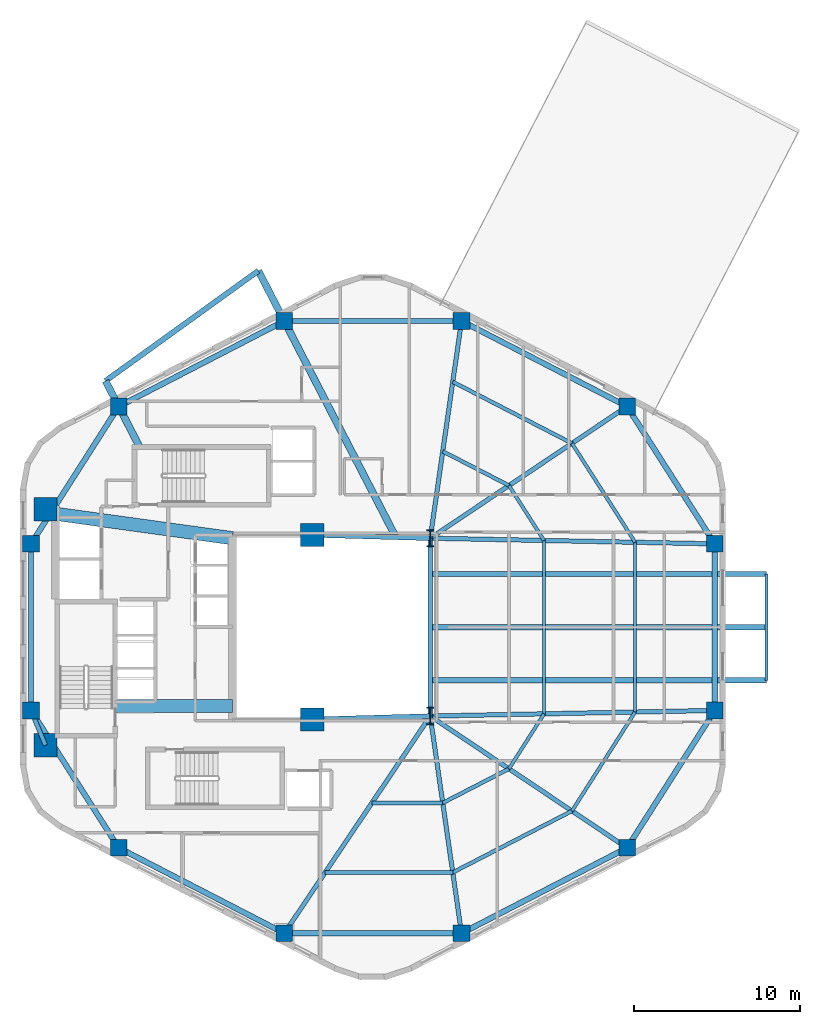
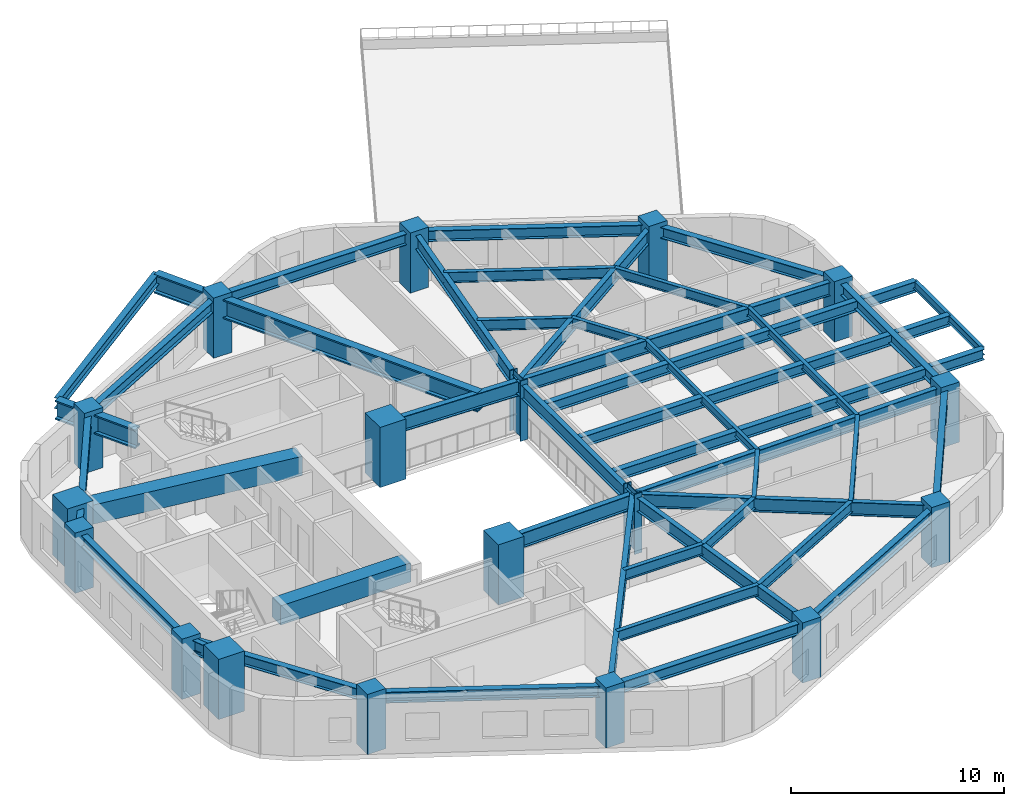
# One storey, part 1 of 8: 44 beams, 18 columns.
"""IFC4 building model written with IfcOpenShell, lengths in metres."""

from ifc_helpers import new_model, si_unit, direction, frame, origin, origin_2d, place, context, subcontext, project, spatial, rectangle, i_section, extrude, material, material_profile, profile_set, type_object, element, save


model = new_model("IFC4")

# Units and contexts
model_context = context("Model", 3, precision=1e-05, world=origin(), true_north=direction((0.0, 1.0)))
body_context = subcontext(model_context, "Body", "Model", "MODEL_VIEW")
ifc_project = project(units=[si_unit("LENGTHUNIT", "METRE"), si_unit("AREAUNIT", "SQUARE_METRE"), si_unit("VOLUMEUNIT", "CUBIC_METRE"), si_unit("PLANEANGLEUNIT", "RADIAN"), si_unit("MASSUNIT", "GRAM", prefix="KILO"), si_unit("THERMODYNAMICTEMPERATUREUNIT", "KELVIN"), si_unit("POWERUNIT", "WATT")], contexts=[model_context])

# Site, building, storey
site_placement = place(None, origin())
site = spatial("IfcSite", under=ifc_project, at=site_placement, CompositionType="ELEMENT")
building_placement = place(site_placement, origin())
building = spatial("IfcBuilding", under=site, at=building_placement, Name="Skarre Station Tower", CompositionType="ELEMENT")
storey_placement = place(building_placement, frame((0.0, 0.0, 122.25)))
storey = spatial("IfcBuildingStorey", under=building, at=storey_placement, Name="L32", CompositionType="ELEMENT", Elevation=122.25)

# Columns
ifc_material_1 = material(Name="Concrete C60/75", Category="concrete")
ifc_material_profile_1 = material_profile(ifc_material_1, rectangle(XDim=1.0, YDim=1.0, at=origin_2d()), Name="Concrete C60/75")
ifc_profile_set_1 = profile_set([ifc_material_profile_1], Name="Concrete C60/75")
column_type_1 = type_object("IfcColumnType", Name="RC Structural Column RC-COL-1000X1000", PredefinedType="COLUMN", material=ifc_profile_set_1)
for number, where, z_axis, x_axis, name in (
    (1, (51.291015625, 37.277099609375, 0.0), (0.0, 0.0, 1.0), (1.0, 0.0, 0.0), "L32 Zone 2 Perimeter Column F0C1"),
    (2, (41.3310546875, 42.41796875, 0.0), (0.0, 0.0, 1.0), (1.0, 0.0, 0.0), "L32 Zone 2 Perimeter Column F0C2"),
    (3, (30.6689453125, 42.41796875, 0.0), (0.0, 0.0, 1.0), (1.0, 0.0, 0.0), "L32 Zone 2 Perimeter Column F1C1"),
    (4, (20.708984375, 37.277099609375, 0.0), (0.0, 0.0, 1.0), (1.0, 0.0, 0.0), "L32 Zone 2 Perimeter Column F1C2"),
    (5, (15.431884765625, 29.010986328125, 0.0), (0.0, 0.0, 1.0), (1.0, 0.0, 0.0), "L32 Zone 2 Perimeter Column F2C1"),
    (6, (15.431884765625, 18.989013671875, 0.0), (0.0, 0.0, 1.0), (1.0, 0.0, 0.0), "L32 Zone 2 Perimeter Column F2C2"),
    (7, (20.708984375, 10.722900390625, 0.0), (0.0, 0.0, 1.0), (1.0, 0.0, 0.0), "L32 Zone 2 Perimeter Column F3C1"),
    (8, (30.6689453125, 5.58203125, 0.0), (0.0, 0.0, 1.0), (1.0, 0.0, 0.0), "L32 Zone 2 Perimeter Column F3C2"),
    (9, (41.3310546875, 5.58203125, 0.0), (0.0, 0.0, 1.0), (1.0, 0.0, 0.0), "L32 Zone 2 Perimeter Column F4C1"),
    (10, (51.291015625, 10.722900390625, 0.0), (0.0, 0.0, 1.0), (1.0, 0.0, 0.0), "L32 Zone 2 Perimeter Column F4C2"),
    (11, (56.568115234375, 18.989013671875, 0.0), (0.0, 0.0, 1.0), (1.0, 0.0, 0.0), "L32 Zone 2 Perimeter Column F5C1"),
    (12, (56.568115234375, 29.010986328125, 0.0), (0.0, 0.0, 1.0), (1.0, 0.0, 0.0), "L32 Zone 2 Perimeter Column F5C2"),
):
    element("IfcColumn", number, at=place(storey_placement, frame(where, z_axis=z_axis, x_axis=x_axis)), inside=storey, type_object=column_type_1, Name=name, PredefinedType="COLUMN", context=body_context, shape_type="SweptSolid", body=[
        extrude(rectangle(XDim=1.0, YDim=1.0, at=origin_2d()), origin(), (0.0, 0.0, 1.0), 3.449951171875),
    ])
ifc_material_2 = material(Name="Concrete C70/85", Category="concrete")
ifc_material_profile_2 = material_profile(ifc_material_2, rectangle(XDim=1.39990234375, YDim=1.39990234375, at=origin_2d()), Name="Concrete C70/85")
ifc_profile_set_2 = profile_set([ifc_material_profile_2], Name="Concrete C70/85")
column_type_2 = type_object("IfcColumnType", Name="RC Structural Column RC-COL-1400X1400", PredefinedType="COLUMN", material=ifc_profile_set_2)
for number, where, z_axis, x_axis, name in (
    (13, (16.300048828125, 16.89990234375, 0.0), (0.0, 0.0, 1.0), (1.0, 0.0, 0.0), "L32 Core Column CC-SW"),
    (14, (16.300048828125, 31.10009765625, 0.0), (0.0, 0.0, 1.0), (1.0, 0.0, 0.0), "L32 Core Column CC-NW"),
    (15, (32.35009765625, 18.449951171875, 0.0), (0.0, 0.0, 1.0), (1.0, 0.0, 0.0), "L32 Core Column CC-SE"),
    (16, (32.35009765625, 29.550048828125, 0.0), (0.0, 0.0, 1.0), (1.0, 0.0, 0.0), "L32 Core Column CC-NE"),
):
    element("IfcColumn", number, at=place(storey_placement, frame(where, z_axis=z_axis, x_axis=x_axis)), inside=storey, type_object=column_type_2, Name=name, PredefinedType="COLUMN", context=body_context, shape_type="SweptSolid", body=[
        extrude(rectangle(XDim=1.39990234375, YDim=1.39990234375, at=origin_2d()), origin(), (0.0, 0.0, 1.0), 3.449951171875),
    ])
ifc_material_3 = material(Name="Steel ASTM A913 Grade 65", Category="steel")
ifc_material_profile_3 = material_profile(ifc_material_3, i_section(OverallWidth=0.409912109375, OverallDepth=1.041015625, WebThickness=0.031005859375, FlangeThickness=0.055908203125, at=origin_2d()), Name="Steel ASTM A913 Grade 65")
ifc_profile_set_3 = profile_set([ifc_material_profile_3], Name="Steel ASTM A913 Grade 65")
column_type_3 = type_object("IfcColumnType", Name="Steel Column W40X397", PredefinedType="COLUMN", material=ifc_profile_set_3)
for number, where, z_axis, x_axis, name in (
    (17, (39.449951171875, 18.64990234375, 0.0), (0.0, 0.0, 1.0), (1.0, 0.0, 0.0), "L32 Atrium Spine Column AC-SE"),
    (18, (39.449951171875, 29.35009765625, 0.0), (0.0, 0.0, 1.0), (1.0, 0.0, 0.0), "L32 Atrium Spine Column AC-NE"),
):
    element("IfcColumn", number, at=place(storey_placement, frame(where, z_axis=z_axis, x_axis=x_axis)), inside=storey, type_object=column_type_3, Name=name, PredefinedType="COLUMN", context=body_context, shape_type="SweptSolid", body=[
        extrude(i_section(OverallWidth=0.409912109375, OverallDepth=1.041015625, WebThickness=0.031005859375, FlangeThickness=0.055908203125, at=origin_2d()), origin(), (0.0, 0.0, 1.0), 3.449951171875),
    ])

# Beams
ifc_material_profile_4 = material_profile(ifc_material_2, rectangle(XDim=0.800048828125, YDim=1.10009765625, at=origin_2d()), Name="Concrete C70/85")
ifc_profile_set_4 = profile_set([ifc_material_profile_4], Name="Concrete C70/85")
beam_type_1 = type_object("IfcBeamType", Name="RC Core Coupling Lintel 800x1100", PredefinedType="LINTEL", material=ifc_profile_set_4)
beam_1_placement = place(storey_placement, frame((20.489990234375, 19.260009765625, 2.639892578125), z_axis=(1.0, 0.0, 0.0), x_axis=(0.0, 1.0, 0.0)))
element("IfcBeam", 19, at=beam_1_placement, inside=storey, type_object=beam_type_1, Name="L32 South Core Coupling Lintel", PredefinedType="LINTEL", context=body_context, shape_type="SweptSolid", body=[
    extrude(rectangle(XDim=0.800048828125, YDim=1.10009765625, at=origin_2d()), origin(), (0.0, 0.0, 1.0), 7.06005859375),
])
beam_2_placement = place(storey_placement, frame((17.050048828125, 30.800048828125, 2.639892578125), z_axis=(0.990599723633, -0.136792498109, 0.0), x_axis=(0.136792498109, 0.990599723633, 0.0)))
element("IfcBeam", 20, at=beam_2_placement, inside=storey, type_object=beam_type_1, Name="L32 North Core Coupling Lintel", PredefinedType="LINTEL", context=body_context, shape_type="SweptSolid", body=[
    extrude(rectangle(XDim=0.800048828125, YDim=1.10009765625, at=origin_2d()), origin(), (0.0, 0.0, 1.0), 10.599609375),
])
ifc_material_4 = material(Name="Steel ASTM A992 Grade 50", Category="steel")
ifc_material_profile_5 = material_profile(ifc_material_4, i_section(OverallWidth=0.323974609375, OverallDepth=0.611083984375, WebThickness=0.012939453125, FlangeThickness=0.01904296875, at=origin_2d()), Name="Steel ASTM A992 Grade 50")
ifc_profile_set_5 = profile_set([ifc_material_profile_5], Name="Steel ASTM A992 Grade 50")
beam_type_2 = type_object("IfcBeamType", Name="Steel Beam W24X104", PredefinedType="BEAM", material=ifc_profile_set_5)
for number, where, z_axis, x_axis, name in (
    (21, (39.449951171875, 24.0, 2.800048828125), (1.0, 0.0, 0.0), (0.0, 1.0, 0.0), "L32 TB-L33-F5 Center Outrigger Beam"),
    (22, (39.449951171875, 20.800048828125, 2.800048828125), (1.0, 0.0, 0.0), (0.0, 1.0, 0.0), "L32 TB-L33-F5 Outrigger Beam 1"),
    (23, (39.449951171875, 27.199951171875, 2.800048828125), (1.0, 0.0, 0.0), (0.0, 1.0, 0.0), "L32 TB-L33-F5 Outrigger Beam 2"),
):
    element("IfcBeam", number, at=place(storey_placement, frame(where, z_axis=z_axis, x_axis=x_axis)), inside=storey, type_object=beam_type_2, Name=name, PredefinedType="BEAM", context=body_context, shape_type="SweptSolid", body=[
        extrude(i_section(OverallWidth=0.323974609375, OverallDepth=0.611083984375, WebThickness=0.012939453125, FlangeThickness=0.01904296875, at=origin_2d()), origin(), (0.0, 0.0, 1.0), 20.22802734375),
    ])
ifc_material_profile_6 = material_profile(ifc_material_4, i_section(OverallWidth=0.26806640625, OverallDepth=0.77001953125, WebThickness=0.01611328125, FlangeThickness=0.02490234375, at=origin_2d()), Name="Steel ASTM A992 Grade 50")
ifc_profile_set_6 = profile_set([ifc_material_profile_6], Name="Steel ASTM A992 Grade 50")
beam_type_3 = type_object("IfcBeamType", Name="Steel Beam W30X132", PredefinedType="BEAM", material=ifc_profile_set_6)
beam_3_placement = place(storey_placement, frame((39.449951171875, 18.64990234375, 2.804931640625), z_axis=(0.0, 1.0, 0.0), x_axis=(-1.0, 0.0, 0.0)))
element("IfcBeam", 24, at=beam_3_placement, inside=storey, type_object=beam_type_3, Name="L32 Atrium East Edge Girder", PredefinedType="BEAM", context=body_context, shape_type="SweptSolid", body=[
    extrude(i_section(OverallWidth=0.26806640625, OverallDepth=0.77001953125, WebThickness=0.01611328125, FlangeThickness=0.02490234375, at=origin_2d()), origin(), (0.0, 0.0, 1.0), 10.7001953125),
])
beam_4_placement = place(storey_placement, frame((39.449951171875, 29.35009765625, 2.804931640625), z_axis=(0.830981218317, 0.556300471692, 0.0), x_axis=(-0.556300471692, 0.830981218317, 0.0)))
element("IfcBeam", 25, at=beam_4_placement, inside=storey, type_object=beam_type_3, Name="L32 Radial Floor Girder F0C1", PredefinedType="BEAM", context=body_context, shape_type="SweptSolid", body=[
    extrude(i_section(OverallWidth=0.26806640625, OverallDepth=0.77001953125, WebThickness=0.01611328125, FlangeThickness=0.02490234375, at=origin_2d()), origin(), (0.0, 0.0, 1.0), 14.24951171875),
])
beam_5_placement = place(storey_placement, frame((39.449951171875, 29.35009765625, 2.804931640625), z_axis=(0.142480121776, 0.989797663616, 0.0), x_axis=(-0.989797663616, 0.142480121776, 0.0)))
element("IfcBeam", 26, at=beam_5_placement, inside=storey, type_object=beam_type_3, Name="L32 Radial Floor Girder F0C2", PredefinedType="BEAM", context=body_context, shape_type="SweptSolid", body=[
    extrude(i_section(OverallWidth=0.26806640625, OverallDepth=0.77001953125, WebThickness=0.01611328125, FlangeThickness=0.02490234375, at=origin_2d()), origin(), (0.0, 0.0, 1.0), 13.20263671875),
])
beam_6_placement = place(storey_placement, frame((16.300048828125, 16.89990234375, 2.804931640625), z_axis=(-0.383749333092, 0.923437301256, 0.0), x_axis=(-0.923437301256, -0.383749333092, 0.0)))
element("IfcBeam", 27, at=beam_6_placement, inside=storey, type_object=beam_type_3, Name="L32 Radial Floor Girder F2C2", PredefinedType="BEAM", context=body_context, shape_type="SweptSolid", body=[
    extrude(i_section(OverallWidth=0.26806640625, OverallDepth=0.77001953125, WebThickness=0.01611328125, FlangeThickness=0.02490234375, at=origin_2d()), origin(), (0.0, 0.0, 1.0), 2.26220703125),
])
beam_7_placement = place(storey_placement, frame((39.449951171875, 18.64990234375, 2.804931640625), z_axis=(-0.55773464691, -0.830019315219, 0.0), x_axis=(0.830019315219, -0.55773464691, 0.0)))
element("IfcBeam", 28, at=beam_7_placement, inside=storey, type_object=beam_type_3, Name="L32 Radial Floor Girder F3C2", PredefinedType="BEAM", context=body_context, shape_type="SweptSolid", body=[
    extrude(i_section(OverallWidth=0.26806640625, OverallDepth=0.77001953125, WebThickness=0.01611328125, FlangeThickness=0.02490234375, at=origin_2d()), origin(), (0.0, 0.0, 1.0), 15.744140625),
])
beam_8_placement = place(storey_placement, frame((39.449951171875, 18.64990234375, 2.804931640625), z_axis=(0.142480121776, -0.989797663616, 0.0), x_axis=(0.989797663616, 0.142480121776, 0.0)))
element("IfcBeam", 29, at=beam_8_placement, inside=storey, type_object=beam_type_3, Name="L32 Radial Floor Girder F4C1", PredefinedType="BEAM", context=body_context, shape_type="SweptSolid", body=[
    extrude(i_section(OverallWidth=0.26806640625, OverallDepth=0.77001953125, WebThickness=0.01611328125, FlangeThickness=0.02490234375, at=origin_2d()), origin(), (0.0, 0.0, 1.0), 13.20263671875),
])
beam_9_placement = place(storey_placement, frame((39.449951171875, 18.64990234375, 2.804931640625), z_axis=(0.830981218317, -0.556300471692, 0.0), x_axis=(0.556300471692, 0.830981218317, 0.0)))
element("IfcBeam", 30, at=beam_9_placement, inside=storey, type_object=beam_type_3, Name="L32 Radial Floor Girder F4C2", PredefinedType="BEAM", context=body_context, shape_type="SweptSolid", body=[
    extrude(i_section(OverallWidth=0.26806640625, OverallDepth=0.77001953125, WebThickness=0.01611328125, FlangeThickness=0.02490234375, at=origin_2d()), origin(), (0.0, 0.0, 1.0), 14.24951171875),
])
for number, where, z_axis, x_axis, name in (
    (31, (39.449951171875, 18.64990234375, 2.804931640625), (0.999803839107, 0.019806143142, 0.0), (-0.019806143142, 0.999803839107, 0.0), "L32 Radial Floor Girder F5C1"),
    (32, (39.449951171875, 29.35009765625, 2.804931640625), (0.999803839107, -0.019806143142, 0.0), (0.019806143142, 0.999803839107, 0.0), "L32 Radial Floor Girder F5C2"),
):
    element("IfcBeam", number, at=place(storey_placement, frame(where, z_axis=z_axis, x_axis=x_axis)), inside=storey, type_object=beam_type_3, Name=name, PredefinedType="BEAM", context=body_context, shape_type="SweptSolid", body=[
        extrude(i_section(OverallWidth=0.26806640625, OverallDepth=0.77001953125, WebThickness=0.01611328125, FlangeThickness=0.02490234375, at=origin_2d()), origin(), (0.0, 0.0, 1.0), 17.12158203125),
    ])
ifc_material_profile_7 = material_profile(ifc_material_4, i_section(OverallWidth=0.2919921875, OverallDepth=0.85888671875, WebThickness=0.01708984375, FlangeThickness=0.031005859375, at=origin_2d()), Name="Steel ASTM A992 Grade 50")
ifc_profile_set_7 = profile_set([ifc_material_profile_7], Name="Steel ASTM A992 Grade 50")
beam_type_4 = type_object("IfcBeamType", Name="Steel Beam W33X169", PredefinedType="BEAM", material=ifc_profile_set_7)
for number, where, z_axis, x_axis, name in (
    (33, (32.35009765625, 18.449951171875, 2.760009765625), (0.999603666405, 0.028151556095, 0.0), (-0.028151556095, 0.999603666405, 0.0), "L32 Atrium South Edge Girder"),
    (34, (32.35009765625, 29.550048828125, 2.760009765625), (0.999603666405, -0.028151556095, 0.0), (0.028151556095, 0.999603666405, 0.0), "L32 Atrium North Edge Girder"),
):
    element("IfcBeam", number, at=place(storey_placement, frame(where, z_axis=z_axis, x_axis=x_axis)), inside=storey, type_object=beam_type_4, Name=name, PredefinedType="BEAM", context=body_context, shape_type="SweptSolid", body=[
        extrude(i_section(OverallWidth=0.2919921875, OverallDepth=0.85888671875, WebThickness=0.01708984375, FlangeThickness=0.031005859375, at=origin_2d()), origin(), (0.0, 0.0, 1.0), 7.102783203125),
    ])
ifc_material_profile_8 = material_profile(ifc_material_4, i_section(OverallWidth=0.19091796875, OverallDepth=0.45703125, WebThickness=0.009033203125, FlangeThickness=0.013916015625, at=origin_2d()), Name="Steel ASTM A992 Grade 50")
ifc_profile_set_8 = profile_set([ifc_material_profile_8], Name="Steel ASTM A992 Grade 50")
beam_type_5 = type_object("IfcBeamType", Name="Steel Joist W18X50", PredefinedType="JOIST", material=ifc_profile_set_8)
beam_10_placement = place(storey_placement, frame((46.297119140625, 18.785888671875, 2.9619140625), z_axis=(0.0, 1.0, 0.0), x_axis=(-1.0, 0.0, 0.0)))
element("IfcBeam", 35, at=beam_10_placement, inside=storey, type_object=beam_type_5, Name="L32 Auxiliary Composite Joist 9", PredefinedType="JOIST", context=body_context, shape_type="SweptSolid", body=[
    extrude(i_section(OverallWidth=0.19091796875, OverallDepth=0.45703125, WebThickness=0.009033203125, FlangeThickness=0.013916015625, at=origin_2d()), origin(), (0.0, 0.0, 1.0), 10.42822265625),
])
beam_11_placement = place(storey_placement, frame((51.77490234375, 18.89404296875, 2.9619140625), z_axis=(0.0, 1.0, 0.0), x_axis=(-1.0, 0.0, 0.0)))
element("IfcBeam", 36, at=beam_11_placement, inside=storey, type_object=beam_type_5, Name="L32 Auxiliary Composite Joist 10", PredefinedType="JOIST", context=body_context, shape_type="SweptSolid", body=[
    extrude(i_section(OverallWidth=0.19091796875, OverallDepth=0.45703125, WebThickness=0.009033203125, FlangeThickness=0.013916015625, at=origin_2d()), origin(), (0.0, 0.0, 1.0), 10.2119140625),
])
beam_12_placement = place(storey_placement, frame((59.677978515625, 20.800048828125, 2.876953125), z_axis=(0.0, 1.0, 0.0), x_axis=(-1.0, 0.0, 0.0)))
element("IfcBeam", 37, at=beam_12_placement, inside=storey, type_object=beam_type_5, Name="L32 TB-L33-F5 Rim Beam", PredefinedType="JOIST", context=body_context, shape_type="SweptSolid", body=[
    extrude(i_section(OverallWidth=0.19091796875, OverallDepth=0.45703125, WebThickness=0.009033203125, FlangeThickness=0.013916015625, at=origin_2d()), origin(), (0.0, 0.0, 1.0), 6.39990234375),
])
ifc_material_profile_9 = material_profile(ifc_material_4, i_section(OverallWidth=0.208984375, OverallDepth=0.532958984375, WebThickness=0.010009765625, FlangeThickness=0.01611328125, at=origin_2d()), Name="Steel ASTM A992 Grade 50")
ifc_profile_set_9 = profile_set([ifc_material_profile_9], Name="Steel ASTM A992 Grade 50")
beam_type_6 = type_object("IfcBeamType", Name="Steel Joist W21X62", PredefinedType="JOIST", material=ifc_profile_set_9)
beam_13_placement = place(storey_placement, frame((44.18603515625, 15.47900390625, 2.924072265625), z_axis=(0.538090955129, 0.842886780065, 0.0), x_axis=(-0.842886780065, 0.538090955129, 0.0)))
element("IfcBeam", 38, at=beam_13_placement, inside=storey, type_object=beam_type_6, Name="L32 Auxiliary Composite Joist 7", PredefinedType="JOIST", context=body_context, shape_type="SweptSolid", body=[
    extrude(i_section(OverallWidth=0.208984375, OverallDepth=0.532958984375, WebThickness=0.010009765625, FlangeThickness=0.01611328125, at=origin_2d()), origin(), (0.0, 0.0, 1.0), 3.92333984375),
])
beam_14_placement = place(storey_placement, frame((47.97607421875, 12.943115234375, 2.924072265625), z_axis=(0.538072046089, 0.842898851119, 0.0), x_axis=(-0.842898851119, 0.538072046089, 0.0)))
element("IfcBeam", 39, at=beam_14_placement, inside=storey, type_object=beam_type_6, Name="L32 Auxiliary Composite Joist 8", PredefinedType="JOIST", context=body_context, shape_type="SweptSolid", body=[
    extrude(i_section(OverallWidth=0.208984375, OverallDepth=0.532958984375, WebThickness=0.010009765625, FlangeThickness=0.01611328125, at=origin_2d()), origin(), (0.0, 0.0, 1.0), 7.06005859375),
])
beam_15_placement = place(storey_placement, frame((46.297119140625, 29.214111328125, 2.924072265625), z_axis=(-0.538090955129, 0.842886780065, 0.0), x_axis=(-0.842886780065, -0.538090955129, 0.0)))
element("IfcBeam", 40, at=beam_15_placement, inside=storey, type_object=beam_type_6, Name="L32 Auxiliary Composite Joist 11", PredefinedType="JOIST", context=body_context, shape_type="SweptSolid", body=[
    extrude(i_section(OverallWidth=0.208984375, OverallDepth=0.532958984375, WebThickness=0.010009765625, FlangeThickness=0.01611328125, at=origin_2d()), origin(), (0.0, 0.0, 1.0), 3.92333984375),
])
beam_16_placement = place(storey_placement, frame((51.77490234375, 29.10595703125, 2.924072265625), z_axis=(-0.538072046089, 0.842898851119, 0.0), x_axis=(-0.842898851119, -0.538072046089, 0.0)))
element("IfcBeam", 41, at=beam_16_placement, inside=storey, type_object=beam_type_6, Name="L32 Auxiliary Composite Joist 12", PredefinedType="JOIST", context=body_context, shape_type="SweptSolid", body=[
    extrude(i_section(OverallWidth=0.208984375, OverallDepth=0.532958984375, WebThickness=0.010009765625, FlangeThickness=0.01611328125, at=origin_2d()), origin(), (0.0, 0.0, 1.0), 7.06005859375),
])
ifc_material_profile_10 = material_profile(ifc_material_4, i_section(OverallWidth=0.22802734375, OverallDepth=0.60791015625, WebThickness=0.010986328125, FlangeThickness=0.01708984375, at=origin_2d()), Name="Steel ASTM A992 Grade 50")
ifc_profile_set_10 = profile_set([ifc_material_profile_10], Name="Steel ASTM A992 Grade 50")
beam_type_7 = type_object("IfcBeamType", Name="Steel Joist W24X76", PredefinedType="JOIST", material=ifc_profile_set_10)
beam_17_placement = place(storey_placement, frame((44.18603515625, 32.52099609375, 2.885986328125), z_axis=(-0.888658598325, 0.458569401097, 0.0), x_axis=(-0.458569401097, -0.888658598325, 0.0)))
element("IfcBeam", 42, at=beam_17_placement, inside=storey, type_object=beam_type_7, Name="L32 Secondary Floor Joist 1", PredefinedType="JOIST", context=body_context, shape_type="SweptSolid", body=[
    extrude(i_section(OverallWidth=0.22802734375, OverallDepth=0.60791015625, WebThickness=0.010986328125, FlangeThickness=0.01708984375, at=origin_2d()), origin(), (0.0, 0.0, 1.0), 4.4833984375),
])
beam_18_placement = place(storey_placement, frame((47.97607421875, 35.056884765625, 2.885986328125), z_axis=(-0.888599977053, 0.458682985057, 0.0), x_axis=(-0.458682985057, -0.888599977053, 0.0)))
element("IfcBeam", 43, at=beam_18_placement, inside=storey, type_object=beam_type_7, Name="L32 Secondary Floor Joist 2", PredefinedType="JOIST", context=body_context, shape_type="SweptSolid", body=[
    extrude(i_section(OverallWidth=0.22802734375, OverallDepth=0.60791015625, WebThickness=0.010986328125, FlangeThickness=0.01708984375, at=origin_2d()), origin(), (0.0, 0.0, 1.0), 8.0712890625),
])
beam_19_placement = place(storey_placement, frame((35.93798828125, 13.423095703125, 2.885986328125), z_axis=(1.0, 0.0, 0.0), x_axis=(0.0, 1.0, 0.0)))
element("IfcBeam", 44, at=beam_19_placement, inside=storey, type_object=beam_type_7, Name="L32 Secondary Floor Joist 3", PredefinedType="JOIST", context=body_context, shape_type="SweptSolid", body=[
    extrude(i_section(OverallWidth=0.22802734375, OverallDepth=0.60791015625, WebThickness=0.010986328125, FlangeThickness=0.01708984375, at=origin_2d()), origin(), (0.0, 0.0, 1.0), 4.263916015625),
])
beam_20_placement = place(storey_placement, frame((33.1279296875, 9.240966796875, 2.885986328125), z_axis=(1.0, 0.0, 0.0), x_axis=(0.0, 1.0, 0.0)))
element("IfcBeam", 45, at=beam_20_placement, inside=storey, type_object=beam_type_7, Name="L32 Secondary Floor Joist 4", PredefinedType="JOIST", context=body_context, shape_type="SweptSolid", body=[
    extrude(i_section(OverallWidth=0.22802734375, OverallDepth=0.60791015625, WebThickness=0.010986328125, FlangeThickness=0.01708984375, at=origin_2d()), origin(), (0.0, 0.0, 1.0), 7.676025390625),
])
beam_21_placement = place(storey_placement, frame((40.201904296875, 13.423095703125, 2.885986328125), z_axis=(0.888658598325, 0.458569401097, 0.0), x_axis=(-0.458569401097, 0.888658598325, 0.0)))
element("IfcBeam", 46, at=beam_21_placement, inside=storey, type_object=beam_type_7, Name="L32 Secondary Floor Joist 5", PredefinedType="JOIST", context=body_context, shape_type="SweptSolid", body=[
    extrude(i_section(OverallWidth=0.22802734375, OverallDepth=0.60791015625, WebThickness=0.010986328125, FlangeThickness=0.01708984375, at=origin_2d()), origin(), (0.0, 0.0, 1.0), 4.4833984375),
])
beam_22_placement = place(storey_placement, frame((40.803955078125, 9.240966796875, 2.885986328125), z_axis=(0.888599977053, 0.458682985057, 0.0), x_axis=(-0.458682985057, 0.888599977053, 0.0)))
element("IfcBeam", 47, at=beam_22_placement, inside=storey, type_object=beam_type_7, Name="L32 Secondary Floor Joist 6", PredefinedType="JOIST", context=body_context, shape_type="SweptSolid", body=[
    extrude(i_section(OverallWidth=0.22802734375, OverallDepth=0.60791015625, WebThickness=0.010986328125, FlangeThickness=0.01708984375, at=origin_2d()), origin(), (0.0, 0.0, 1.0), 8.0712890625),
])
ifc_material_profile_11 = material_profile(ifc_material_3, i_section(OverallWidth=0.424072265625, OverallDepth=1.092041015625, WebThickness=0.044921875, FlangeThickness=0.08203125, at=origin_2d()), Name="Steel ASTM A913 Grade 65")
ifc_profile_set_11 = profile_set([ifc_material_profile_11], Name="Steel ASTM A913 Grade 65")
beam_type_8 = type_object("IfcBeamType", Name="Steel Medium-Span Transfer Girder W40X593", PredefinedType="USERDEFINED", material=ifc_profile_set_11)
beam_23_placement = place(storey_placement, frame((37.384033203125, 29.407958984375, 2.64404296875), z_axis=(-0.458636714772, 0.888623859607, 0.0), x_axis=(-0.888623859607, -0.458636714772, 0.0)))
element("IfcBeam", 48, at=beam_23_placement, inside=storey, type_object=beam_type_8, Name="L32 SB-3 Exoskeleton Tier-0 Transfer Girder S1", ObjectType="TRANSFER_GIRDER", PredefinedType="USERDEFINED", context=body_context, shape_type="SweptSolid", body=[
    extrude(i_section(OverallWidth=0.424072265625, OverallDepth=1.092041015625, WebThickness=0.044921875, FlangeThickness=0.08203125, at=origin_2d()), origin(), (0.0, 0.0, 1.0), 18.040283203125),
])
ifc_material_profile_12 = material_profile(ifc_material_4, i_section(OverallWidth=0.327880859375, OverallDepth=0.6279296875, WebThickness=0.01708984375, FlangeThickness=0.028076171875, at=origin_2d()), Name="Steel ASTM A992 Grade 50")
ifc_profile_set_12 = profile_set([ifc_material_profile_12], Name="Steel ASTM A992 Grade 50")
beam_type_9 = type_object("IfcBeamType", Name="Steel Spandrel W24X146", PredefinedType="SPANDREL", material=ifc_profile_set_12)
beam_24_placement = place(storey_placement, frame((51.291015625, 37.277099609375, 2.8759765625), z_axis=(-0.888611779493, 0.458660119639, 0.0), x_axis=(-0.458660119639, -0.888611779493, 0.0)))
element("IfcBeam", 49, at=beam_24_placement, inside=storey, type_object=beam_type_9, Name="L32 Facet Spandrel Beam 1", PredefinedType="SPANDREL", context=body_context, shape_type="SweptSolid", body=[
    extrude(i_section(OverallWidth=0.327880859375, OverallDepth=0.6279296875, WebThickness=0.01708984375, FlangeThickness=0.028076171875, at=origin_2d()), origin(), (0.0, 0.0, 1.0), 11.20849609375),
])
beam_25_placement = place(storey_placement, frame((41.3310546875, 42.41796875, 2.8759765625), z_axis=(-1.0, 0.0, 0.0), x_axis=(0.0, -1.0, 0.0)))
element("IfcBeam", 50, at=beam_25_placement, inside=storey, type_object=beam_type_9, Name="L32 Facet Spandrel Beam 2", PredefinedType="SPANDREL", context=body_context, shape_type="SweptSolid", body=[
    extrude(i_section(OverallWidth=0.327880859375, OverallDepth=0.6279296875, WebThickness=0.01708984375, FlangeThickness=0.028076171875, at=origin_2d()), origin(), (0.0, 0.0, 1.0), 10.662109375),
])
beam_26_placement = place(storey_placement, frame((30.6689453125, 42.41796875, 2.8759765625), z_axis=(-0.888611779493, -0.458660119639, 0.0), x_axis=(0.458660119639, -0.888611779493, 0.0)))
element("IfcBeam", 51, at=beam_26_placement, inside=storey, type_object=beam_type_9, Name="L32 Facet Spandrel Beam 3", PredefinedType="SPANDREL", context=body_context, shape_type="SweptSolid", body=[
    extrude(i_section(OverallWidth=0.327880859375, OverallDepth=0.6279296875, WebThickness=0.01708984375, FlangeThickness=0.028076171875, at=origin_2d()), origin(), (0.0, 0.0, 1.0), 11.20849609375),
])
beam_27_placement = place(storey_placement, frame((20.708984375, 37.277099609375, 2.8759765625), z_axis=(-0.538097547923, -0.842882571251, 0.0), x_axis=(0.842882571251, -0.538097547923, 0.0)))
element("IfcBeam", 52, at=beam_27_placement, inside=storey, type_object=beam_type_9, Name="L32 Facet Spandrel Beam 4", PredefinedType="SPANDREL", context=body_context, shape_type="SweptSolid", body=[
    extrude(i_section(OverallWidth=0.327880859375, OverallDepth=0.6279296875, WebThickness=0.01708984375, FlangeThickness=0.028076171875, at=origin_2d()), origin(), (0.0, 0.0, 1.0), 9.806884765625),
])
beam_28_placement = place(storey_placement, frame((15.431884765625, 29.010986328125, 2.8759765625), z_axis=(0.0, -1.0, 0.0), x_axis=(1.0, 0.0, 0.0)))
element("IfcBeam", 53, at=beam_28_placement, inside=storey, type_object=beam_type_9, Name="L32 Facet Spandrel Beam 5", PredefinedType="SPANDREL", context=body_context, shape_type="SweptSolid", body=[
    extrude(i_section(OverallWidth=0.327880859375, OverallDepth=0.6279296875, WebThickness=0.01708984375, FlangeThickness=0.028076171875, at=origin_2d()), origin(), (0.0, 0.0, 1.0), 10.02197265625),
])
beam_29_placement = place(storey_placement, frame((15.431884765625, 18.989013671875, 2.8759765625), z_axis=(0.538097547923, -0.842882571251, 0.0), x_axis=(0.842882571251, 0.538097547923, 0.0)))
element("IfcBeam", 54, at=beam_29_placement, inside=storey, type_object=beam_type_9, Name="L32 Facet Spandrel Beam 6", PredefinedType="SPANDREL", context=body_context, shape_type="SweptSolid", body=[
    extrude(i_section(OverallWidth=0.327880859375, OverallDepth=0.6279296875, WebThickness=0.01708984375, FlangeThickness=0.028076171875, at=origin_2d()), origin(), (0.0, 0.0, 1.0), 9.806884765625),
])
beam_30_placement = place(storey_placement, frame((20.708984375, 10.722900390625, 2.8759765625), z_axis=(0.888611779493, -0.458660119639, 0.0), x_axis=(0.458660119639, 0.888611779493, 0.0)))
element("IfcBeam", 55, at=beam_30_placement, inside=storey, type_object=beam_type_9, Name="L32 Facet Spandrel Beam 7", PredefinedType="SPANDREL", context=body_context, shape_type="SweptSolid", body=[
    extrude(i_section(OverallWidth=0.327880859375, OverallDepth=0.6279296875, WebThickness=0.01708984375, FlangeThickness=0.028076171875, at=origin_2d()), origin(), (0.0, 0.0, 1.0), 11.20849609375),
])
beam_31_placement = place(storey_placement, frame((30.6689453125, 5.58203125, 2.8759765625), z_axis=(1.0, 0.0, 0.0), x_axis=(0.0, 1.0, 0.0)))
element("IfcBeam", 56, at=beam_31_placement, inside=storey, type_object=beam_type_9, Name="L32 Facet Spandrel Beam 8", PredefinedType="SPANDREL", context=body_context, shape_type="SweptSolid", body=[
    extrude(i_section(OverallWidth=0.327880859375, OverallDepth=0.6279296875, WebThickness=0.01708984375, FlangeThickness=0.028076171875, at=origin_2d()), origin(), (0.0, 0.0, 1.0), 10.662109375),
])
beam_32_placement = place(storey_placement, frame((41.3310546875, 5.58203125, 2.8759765625), z_axis=(0.888611779493, 0.458660119639, 0.0), x_axis=(-0.458660119639, 0.888611779493, 0.0)))
element("IfcBeam", 57, at=beam_32_placement, inside=storey, type_object=beam_type_9, Name="L32 Facet Spandrel Beam 9", PredefinedType="SPANDREL", context=body_context, shape_type="SweptSolid", body=[
    extrude(i_section(OverallWidth=0.327880859375, OverallDepth=0.6279296875, WebThickness=0.01708984375, FlangeThickness=0.028076171875, at=origin_2d()), origin(), (0.0, 0.0, 1.0), 11.20849609375),
])
beam_33_placement = place(storey_placement, frame((51.291015625, 10.722900390625, 2.8759765625), z_axis=(0.538097547923, 0.842882571251, 0.0), x_axis=(-0.842882571251, 0.538097547923, 0.0)))
element("IfcBeam", 58, at=beam_33_placement, inside=storey, type_object=beam_type_9, Name="L32 Facet Spandrel Beam 10", PredefinedType="SPANDREL", context=body_context, shape_type="SweptSolid", body=[
    extrude(i_section(OverallWidth=0.327880859375, OverallDepth=0.6279296875, WebThickness=0.01708984375, FlangeThickness=0.028076171875, at=origin_2d()), origin(), (0.0, 0.0, 1.0), 9.806884765625),
])
beam_34_placement = place(storey_placement, frame((56.568115234375, 18.989013671875, 2.8759765625), z_axis=(0.0, 1.0, 0.0), x_axis=(-1.0, 0.0, 0.0)))
element("IfcBeam", 59, at=beam_34_placement, inside=storey, type_object=beam_type_9, Name="L32 Facet Spandrel Beam 11", PredefinedType="SPANDREL", context=body_context, shape_type="SweptSolid", body=[
    extrude(i_section(OverallWidth=0.327880859375, OverallDepth=0.6279296875, WebThickness=0.01708984375, FlangeThickness=0.028076171875, at=origin_2d()), origin(), (0.0, 0.0, 1.0), 10.02197265625),
])
beam_35_placement = place(storey_placement, frame((56.568115234375, 29.010986328125, 2.8759765625), z_axis=(-0.538097547923, 0.842882571251, 0.0), x_axis=(-0.842882571251, -0.538097547923, 0.0)))
element("IfcBeam", 60, at=beam_35_placement, inside=storey, type_object=beam_type_9, Name="L32 Facet Spandrel Beam 12", PredefinedType="SPANDREL", context=body_context, shape_type="SweptSolid", body=[
    extrude(i_section(OverallWidth=0.327880859375, OverallDepth=0.6279296875, WebThickness=0.01708984375, FlangeThickness=0.028076171875, at=origin_2d()), origin(), (0.0, 0.0, 1.0), 9.806884765625),
])
beam_36_placement = place(storey_placement, frame((29.110107421875, 45.43896484375, 2.8759765625), z_axis=(-0.811314442859, -0.584610019422, 0.0), x_axis=(0.584610019422, -0.811314442859, 0.0)))
element("IfcBeam", 61, at=beam_36_placement, inside=storey, type_object=beam_type_9, Name="L32 SB-3 Exoskeleton Tier-0 Header Beam", PredefinedType="SPANDREL", context=body_context, shape_type="SweptSolid", body=[
    extrude(i_section(OverallWidth=0.327880859375, OverallDepth=0.6279296875, WebThickness=0.01708984375, FlangeThickness=0.028076171875, at=origin_2d()), origin(), (0.0, 0.0, 1.0), 11.332275390625),
])
ifc_material_profile_13 = material_profile(ifc_material_3, i_section(OverallWidth=0.424072265625, OverallDepth=1.092041015625, WebThickness=0.044921875, FlangeThickness=0.08203125, at=origin_2d()), Name="Steel ASTM A913 Grade 65")
ifc_profile_set_13 = profile_set([ifc_material_profile_13], Name="Steel ASTM A913 Grade 65")
beam_type_10 = type_object("IfcBeamType", Name="Steel Transfer Girder W40X593", PredefinedType="USERDEFINED", material=ifc_profile_set_13)
beam_37_placement = place(storey_placement, frame((21.967041015625, 34.840087890625, 2.64404296875), z_axis=(-0.458641529134, 0.888621374801, 0.0), x_axis=(-0.888621374801, -0.458641529134, 0.0)))
element("IfcBeam", 62, at=beam_37_placement, inside=storey, type_object=beam_type_10, Name="L32 SB-3 Exoskeleton Tier-0 Transfer Girder S2", ObjectType="TRANSFER_GIRDER", PredefinedType="USERDEFINED", context=body_context, shape_type="SweptSolid", body=[
    extrude(i_section(OverallWidth=0.424072265625, OverallDepth=1.092041015625, WebThickness=0.044921875, FlangeThickness=0.08203125, at=origin_2d()), origin(), (0.0, 0.0, 1.0), 4.471923828125),
])

save(model, "model.ifc")
